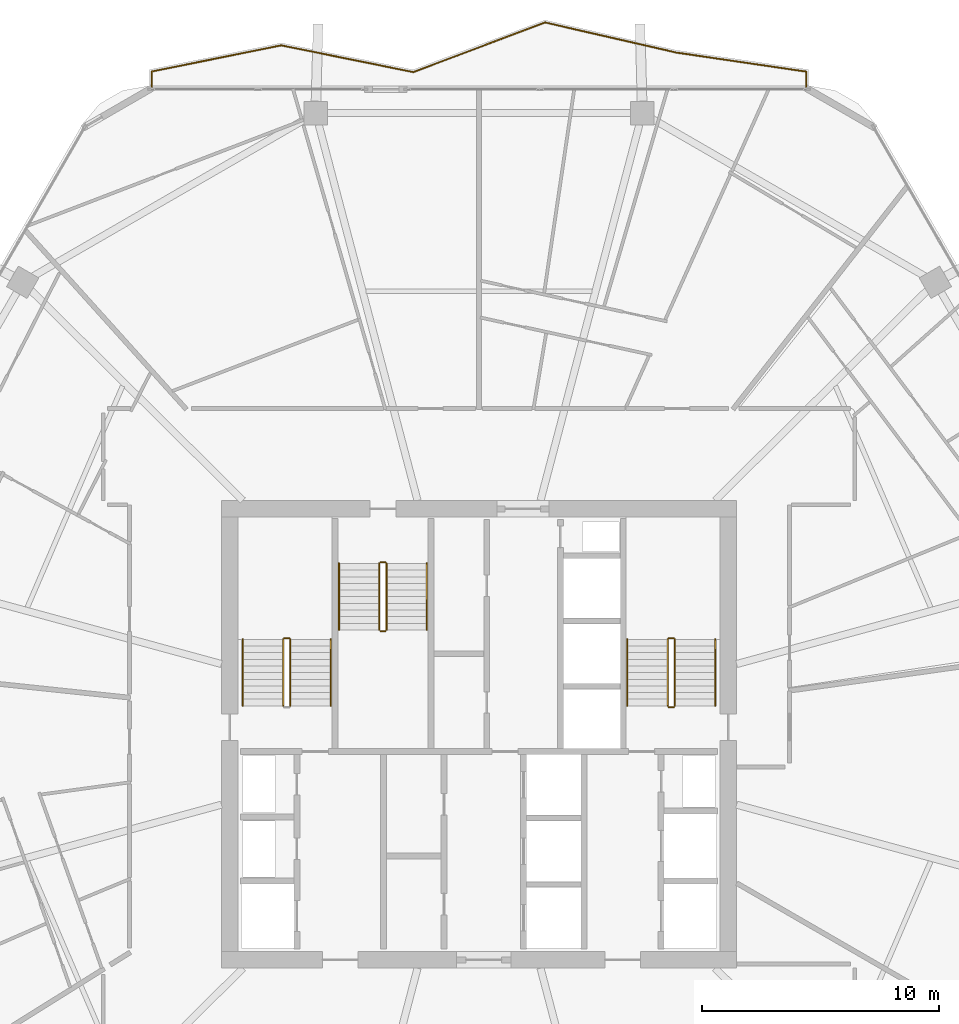
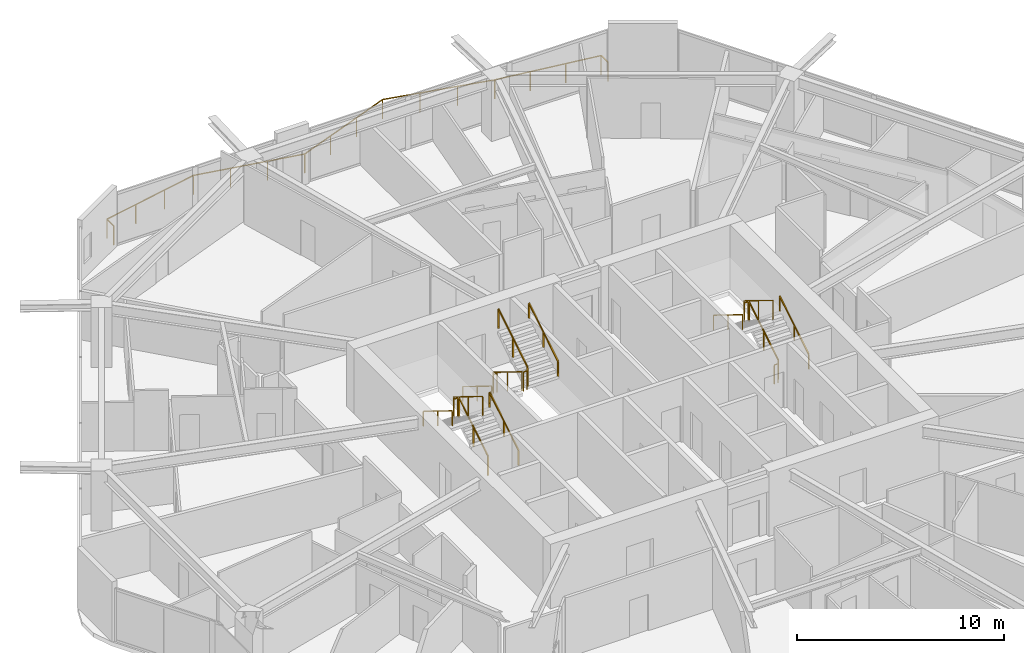
# One storey, part 24 of 25: 18 railings.
"""IFC4 building model written with IfcOpenShell, lengths in metres."""

from ifc_helpers import new_model, si_unit, direction, frame, origin, origin_2d, place, context, subcontext, project, spatial, rectangle, extrude, material, type_object, element, save


model = new_model("IFC4")

# Units and contexts
model_context = context("Model", 3, precision=1e-05, world=origin(), true_north=direction((0.0, 1.0)))
body_context = subcontext(model_context, "Body", "Model", "MODEL_VIEW")
ifc_project = project(units=[si_unit("LENGTHUNIT", "METRE"), si_unit("AREAUNIT", "SQUARE_METRE"), si_unit("VOLUMEUNIT", "CUBIC_METRE"), si_unit("PLANEANGLEUNIT", "RADIAN"), si_unit("MASSUNIT", "GRAM", prefix="KILO")], contexts=[model_context])

# Site, building, storey
site_placement = place(None, origin())
site = spatial("IfcSite", under=ifc_project, at=site_placement, CompositionType="ELEMENT")
building_placement = place(site_placement, origin())
building = spatial("IfcBuilding", under=site, at=building_placement, Name="Zuhravey Tower", CompositionType="ELEMENT")
storey_placement = place(building_placement, frame((0.0, 0.0, 150.39990234375)))
storey = spatial("IfcBuildingStorey", under=building, at=storey_placement, Name="L37", CompositionType="ELEMENT", Elevation=150.39990234375)

# Railings
ifc_material_1 = material(Name="Stainless steel 316 and laminated glass", Category="steel")
railing_type_1 = type_object("IfcRailingType", Name="Balcony & Terrace Guardrail 1150", PredefinedType="BALUSTRADE", material=ifc_material_1)
railing_1_placement = place(storey_placement, frame((22.2099609375, 59.26806640625, 0.0)))
element("IfcRailing", 1, at=railing_1_placement, inside=storey, type_object=railing_type_1, Name="L37 Face 2 Wave Balcony Guardrail GR1", PredefinedType="BALUSTRADE", context=body_context, shape_type="SweptSolid", body=[
    extrude(rectangle(XDim=0.048095703125, YDim=0.048095703125, at=origin_2d()), frame((0.0, 0.001953125, 1.1259765625), z_axis=(0.0, 1.0, 0.0), x_axis=(-1.0, 0.0, 0.0)), (0.0, 0.0, 1.0), 0.654296875),
    extrude(rectangle(XDim=0.048095703125, YDim=0.048095703125, at=origin_2d()), frame((0.001953125, 0.65869140625, 1.1259765625), z_axis=(0.980153280565, 0.198241132457, 0.0), x_axis=(-0.198241132457, 0.980153280565, 0.0)), (0.0, 0.0, 1.0), 5.5625),
    extrude(rectangle(XDim=0.048095703125, YDim=0.048095703125, at=origin_2d()), frame((5.4580078125, 1.76123046875, 1.1259765625), z_axis=(0.980074652135, -0.198629494898, 0.0), x_axis=(0.198629494898, 0.980074652135, 0.0)), (0.0, 0.0, 1.0), 5.67333984375),
    extrude(rectangle(XDim=0.048095703125, YDim=0.048095703125, at=origin_2d()), frame((11.022216796875, 0.634765625, 1.1259765625), z_axis=(0.935882144899, 0.352313228334, 0.0), x_axis=(-0.352313228334, 0.935882144899, 0.0)), (0.0, 0.0, 1.0), 5.93115234375),
    extrude(rectangle(XDim=0.048095703125, YDim=0.048095703125, at=origin_2d()), frame((16.576904296875, 2.724609375, 1.1259765625), z_axis=(0.974707134461, -0.223486022001, 0.0), x_axis=(0.223486022001, 0.974707134461, 0.0)), (0.0, 0.0, 1.0), 5.669921875),
    extrude(rectangle(XDim=0.048095703125, YDim=0.048095703125, at=origin_2d()), frame((22.107421875, 1.456787109375, 1.1259765625), z_axis=(0.989401310771, -0.14520690839, 0.0), x_axis=(0.14520690839, 0.989401310771, 0.0)), (0.0, 0.0, 1.0), 5.529296875),
    extrude(rectangle(XDim=0.048095703125, YDim=0.048095703125, at=origin_2d()), frame((27.580078125, 0.651611328125, 1.1259765625), z_axis=(0.0, -1.0, 0.0), x_axis=(1.0, 0.0, 0.0)), (0.0, 0.0, 1.0), 0.649658203125),
    extrude(rectangle(XDim=0.0419921875, YDim=0.0419921875, at=origin_2d()), origin(), (0.0, 0.0, 1.0), 1.099853515625),
    extrude(rectangle(XDim=0.0419921875, YDim=0.0419921875, at=origin_2d()), frame((0.0, 0.658203125, 0.0)), (0.0, 0.0, 1.0), 1.099853515625),
    extrude(rectangle(XDim=0.0419921875, YDim=0.0419921875, at=origin_2d()), frame((1.818603515625, 1.026123046875, 0.0)), (0.0, 0.0, 1.0), 1.099853515625),
    extrude(rectangle(XDim=0.0419921875, YDim=0.0419921875, at=origin_2d()), frame((3.637451171875, 1.393798828125, 0.0)), (0.0, 0.0, 1.0), 1.099853515625),
    extrude(rectangle(XDim=0.0419921875, YDim=0.0419921875, at=origin_2d()), frame((5.4560546875, 1.76171875, 0.0)), (0.0, 0.0, 1.0), 1.099853515625),
    extrude(rectangle(XDim=0.0419921875, YDim=0.0419921875, at=origin_2d()), frame((7.310791015625, 1.3857421875, 0.0)), (0.0, 0.0, 1.0), 1.099853515625),
    extrude(rectangle(XDim=0.0419921875, YDim=0.0419921875, at=origin_2d()), frame((9.16552734375, 1.010009765625, 0.0)), (0.0, 0.0, 1.0), 1.099853515625),
    extrude(rectangle(XDim=0.0419921875, YDim=0.0419921875, at=origin_2d()), frame((11.020263671875, 0.634033203125, 0.0)), (0.0, 0.0, 1.0), 1.099853515625),
    extrude(rectangle(XDim=0.0419921875, YDim=0.0419921875, at=origin_2d()), frame((12.871826171875, 1.3310546875, 0.0)), (0.0, 0.0, 1.0), 1.099853515625),
    extrude(rectangle(XDim=0.0419921875, YDim=0.0419921875, at=origin_2d()), frame((14.723388671875, 2.028076171875, 0.0)), (0.0, 0.0, 1.0), 1.099853515625),
    extrude(rectangle(XDim=0.0419921875, YDim=0.0419921875, at=origin_2d()), frame((16.574951171875, 2.72509765625, 0.0)), (0.0, 0.0, 1.0), 1.099853515625),
    extrude(rectangle(XDim=0.0419921875, YDim=0.0419921875, at=origin_2d()), frame((18.41845703125, 2.302490234375, 0.0)), (0.0, 0.0, 1.0), 1.099853515625),
    extrude(rectangle(XDim=0.0419921875, YDim=0.0419921875, at=origin_2d()), frame((20.261962890625, 1.879638671875, 0.0)), (0.0, 0.0, 1.0), 1.099853515625),
    extrude(rectangle(XDim=0.0419921875, YDim=0.0419921875, at=origin_2d()), frame((22.10546875, 1.45703125, 0.0)), (0.0, 0.0, 1.0), 1.099853515625),
    extrude(rectangle(XDim=0.0419921875, YDim=0.0419921875, at=origin_2d()), frame((23.930419921875, 1.189208984375, 0.0)), (0.0, 0.0, 1.0), 1.099853515625),
    extrude(rectangle(XDim=0.0419921875, YDim=0.0419921875, at=origin_2d()), frame((25.755126953125, 0.92138671875, 0.0)), (0.0, 0.0, 1.0), 1.099853515625),
    extrude(rectangle(XDim=0.0419921875, YDim=0.0419921875, at=origin_2d()), frame((27.580078125, 0.653564453125, 0.0)), (0.0, 0.0, 1.0), 1.099853515625),
    extrude(rectangle(XDim=0.0419921875, YDim=0.0419921875, at=origin_2d()), frame((27.580078125, 0.0, 0.0)), (0.0, 0.0, 1.0), 1.099853515625),
])
ifc_material_2 = material(Name="Brushed stainless steel", Category="steel")
railing_type_2 = type_object("IfcRailingType", Name="Stair Wall Handrail 900", PredefinedType="HANDRAIL", material=ifc_material_2)
railing_2_placement = place(storey_placement, frame((29.75, 33.199951171875, 0.1728515625)))
element("IfcRailing", 2, at=railing_2_placement, inside=storey, type_object=railing_type_2, Name="L37 ST1 stair handrail 1", PredefinedType="HANDRAIL", context=body_context, shape_type="SweptSolid", body=[
    extrude(rectangle(XDim=0.048095703125, YDim=0.048095703125, at=origin_2d()), frame((0.0, 0.001708984375, 0.876953125), z_axis=(0.0, 0.851089632645, 0.525020415988), x_axis=(-1.0, 0.0, 0.0)), (0.0, 0.0, 1.0), 3.285888671875),
    extrude(rectangle(XDim=0.0419921875, YDim=0.0419921875, at=origin_2d()), origin(), (0.0, 0.0, 1.0), 0.849853515625),
    extrude(rectangle(XDim=0.0419921875, YDim=0.0419921875, at=origin_2d()), frame((0.0, 1.39990234375, 0.86376953125)), (0.0, 0.0, 1.0), 0.849853515625),
    extrude(rectangle(XDim=0.0419921875, YDim=0.0419921875, at=origin_2d()), frame((0.0, 2.800048828125, 1.727294921875)), (0.0, 0.0, 1.0), 0.849853515625),
])
railing_3_placement = place(storey_placement, frame((26.050048828125, 36.0, 2.07275390625)))
element("IfcRailing", 3, at=railing_3_placement, inside=storey, type_object=railing_type_2, Name="L37 ST1 stair handrail 2", PredefinedType="HANDRAIL", context=body_context, shape_type="SweptSolid", body=[
    extrude(rectangle(XDim=0.048095703125, YDim=0.048095703125, at=origin_2d()), frame((0.0, -0.001708984375, 0.876953125), z_axis=(0.0, -0.851089632645, 0.525020415988), x_axis=(1.0, 0.0, 0.0)), (0.0, 0.0, 1.0), 3.285888671875),
    extrude(rectangle(XDim=0.0419921875, YDim=0.0419921875, at=origin_2d()), origin(), (0.0, 0.0, 1.0), 0.849853515625),
    extrude(rectangle(XDim=0.0419921875, YDim=0.0419921875, at=origin_2d()), frame((0.0, -1.39990234375, 0.86376953125)), (0.0, 0.0, 1.0), 0.849853515625),
    extrude(rectangle(XDim=0.0419921875, YDim=0.0419921875, at=origin_2d()), frame((0.0, -2.800048828125, 1.727294921875)), (0.0, 0.0, 1.0), 0.849853515625),
])
railing_4_placement = place(storey_placement, frame((45.949951171875, 33.199951171875, 0.1728515625)))
element("IfcRailing", 4, at=railing_4_placement, inside=storey, type_object=railing_type_2, Name="L37 ST2 stair handrail 1", PredefinedType="HANDRAIL", context=body_context, shape_type="SweptSolid", body=[
    extrude(rectangle(XDim=0.048095703125, YDim=0.048095703125, at=origin_2d()), frame((0.0, 0.001708984375, 0.876953125), z_axis=(0.0, 0.851089632645, 0.525020415988), x_axis=(-1.0, 0.0, 0.0)), (0.0, 0.0, 1.0), 3.285888671875),
    extrude(rectangle(XDim=0.0419921875, YDim=0.0419921875, at=origin_2d()), origin(), (0.0, 0.0, 1.0), 0.849853515625),
    extrude(rectangle(XDim=0.0419921875, YDim=0.0419921875, at=origin_2d()), frame((0.0, 1.39990234375, 0.86376953125)), (0.0, 0.0, 1.0), 0.849853515625),
    extrude(rectangle(XDim=0.0419921875, YDim=0.0419921875, at=origin_2d()), frame((0.0, 2.800048828125, 1.727294921875)), (0.0, 0.0, 1.0), 0.849853515625),
])
for number, where, name in (
    (5, (42.25, 36.0, 2.07275390625), "L37 ST2 stair handrail 2"),
    (6, (30.10009765625, 39.199951171875, 0.1728515625), "L37 ST3 stair handrail 1"),
):
    element("IfcRailing", number, at=place(storey_placement, frame(where)), inside=storey, type_object=railing_type_2, Name=name, PredefinedType="HANDRAIL", context=body_context, shape_type="SweptSolid", body=[
        extrude(rectangle(XDim=0.048095703125, YDim=0.048095703125, at=origin_2d()), frame((0.0, -0.001708984375, 0.876953125), z_axis=(0.0, -0.851089632645, 0.525020415988), x_axis=(1.0, 0.0, 0.0)), (0.0, 0.0, 1.0), 3.285888671875),
        extrude(rectangle(XDim=0.0419921875, YDim=0.0419921875, at=origin_2d()), origin(), (0.0, 0.0, 1.0), 0.849853515625),
        extrude(rectangle(XDim=0.0419921875, YDim=0.0419921875, at=origin_2d()), frame((0.0, -1.39990234375, 0.86376953125)), (0.0, 0.0, 1.0), 0.849853515625),
        extrude(rectangle(XDim=0.0419921875, YDim=0.0419921875, at=origin_2d()), frame((0.0, -2.800048828125, 1.727294921875)), (0.0, 0.0, 1.0), 0.849853515625),
    ])
railing_5_placement = place(storey_placement, frame((33.800048828125, 36.39990234375, 2.07275390625)))
element("IfcRailing", 7, at=railing_5_placement, inside=storey, type_object=railing_type_2, Name="L37 ST3 stair handrail 2", PredefinedType="HANDRAIL", context=body_context, shape_type="SweptSolid", body=[
    extrude(rectangle(XDim=0.048095703125, YDim=0.048095703125, at=origin_2d()), frame((0.0, 0.001708984375, 0.876953125), z_axis=(0.0, 0.851089632645, 0.525020415988), x_axis=(-1.0, 0.0, 0.0)), (0.0, 0.0, 1.0), 3.285888671875),
    extrude(rectangle(XDim=0.0419921875, YDim=0.0419921875, at=origin_2d()), origin(), (0.0, 0.0, 1.0), 0.849853515625),
    extrude(rectangle(XDim=0.0419921875, YDim=0.0419921875, at=origin_2d()), frame((0.0, 1.39990234375, 0.86376953125)), (0.0, 0.0, 1.0), 0.849853515625),
    extrude(rectangle(XDim=0.0419921875, YDim=0.0419921875, at=origin_2d()), frame((0.0, 2.800048828125, 1.727294921875)), (0.0, 0.0, 1.0), 0.849853515625),
])
ifc_material_3 = material(Name="Painted tubular steel", Category="steel")
railing_type_3 = type_object("IfcRailingType", Name="Stair Well Guardrail 1150", PredefinedType="GUARDRAIL", material=ifc_material_3)
railing_6_placement = place(storey_placement, frame((28.050048828125, 33.199951171875, 0.1728515625)))
element("IfcRailing", 8, at=railing_6_placement, inside=storey, type_object=railing_type_3, Name="L37 ST1 stair guard 1", PredefinedType="GUARDRAIL", context=body_context, shape_type="SweptSolid", body=[
    extrude(rectangle(XDim=0.048095703125, YDim=0.048095703125, at=origin_2d()), frame((0.0, 0.001708984375, 1.126953125), z_axis=(0.0, 0.851089632645, 0.525020415988), x_axis=(-1.0, 0.0, 0.0)), (0.0, 0.0, 1.0), 3.285888671875),
    extrude(rectangle(XDim=0.0419921875, YDim=0.0419921875, at=origin_2d()), origin(), (0.0, 0.0, 1.0), 1.099853515625),
    extrude(rectangle(XDim=0.0419921875, YDim=0.0419921875, at=origin_2d()), frame((0.0, 1.39990234375, 0.86376953125)), (0.0, 0.0, 1.0), 1.099853515625),
    extrude(rectangle(XDim=0.0419921875, YDim=0.0419921875, at=origin_2d()), frame((0.0, 2.800048828125, 1.727294921875)), (0.0, 0.0, 1.0), 1.099853515625),
])
railing_7_placement = place(storey_placement, frame((28.0, 36.050048828125, 1.900146484375)))
element("IfcRailing", 9, at=railing_7_placement, inside=storey, type_object=railing_type_3, Name="L37 ST1 stair guard 2", PredefinedType="GUARDRAIL", context=body_context, shape_type="SweptSolid", body=[
    extrude(rectangle(XDim=0.048095703125, YDim=0.048095703125, at=origin_2d()), frame((-0.001953125, 0.0, 1.1259765625), z_axis=(-1.0, 0.0, 0.0), x_axis=(0.0, -1.0, 0.0)), (0.0, 0.0, 1.0), 0.196044921875),
    extrude(rectangle(XDim=0.0419921875, YDim=0.0419921875, at=origin_2d()), origin(), (0.0, 0.0, 1.0), 1.099853515625),
    extrude(rectangle(XDim=0.0419921875, YDim=0.0419921875, at=origin_2d()), frame((-0.199951171875, 0.0, 0.0)), (0.0, 0.0, 1.0), 1.099853515625),
])
railing_8_placement = place(storey_placement, frame((27.75, 36.0, 2.07275390625)))
element("IfcRailing", 10, at=railing_8_placement, inside=storey, type_object=railing_type_3, Name="L37 ST1 stair guard 3", PredefinedType="GUARDRAIL", context=body_context, shape_type="SweptSolid", body=[
    extrude(rectangle(XDim=0.048095703125, YDim=0.048095703125, at=origin_2d()), frame((0.0, -0.001708984375, 1.126953125), z_axis=(0.0, -0.851089632645, 0.525020415988), x_axis=(1.0, 0.0, 0.0)), (0.0, 0.0, 1.0), 3.285888671875),
    extrude(rectangle(XDim=0.0419921875, YDim=0.0419921875, at=origin_2d()), origin(), (0.0, 0.0, 1.0), 1.099853515625),
    extrude(rectangle(XDim=0.0419921875, YDim=0.0419921875, at=origin_2d()), frame((0.0, -1.39990234375, 0.86376953125)), (0.0, 0.0, 1.0), 1.099853515625),
    extrude(rectangle(XDim=0.0419921875, YDim=0.0419921875, at=origin_2d()), frame((0.0, -2.800048828125, 1.727294921875)), (0.0, 0.0, 1.0), 1.099853515625),
])
railing_9_placement = place(storey_placement, frame((44.25, 33.199951171875, 0.1728515625)))
element("IfcRailing", 11, at=railing_9_placement, inside=storey, type_object=railing_type_3, Name="L37 ST2 stair guard 1", PredefinedType="GUARDRAIL", context=body_context, shape_type="SweptSolid", body=[
    extrude(rectangle(XDim=0.048095703125, YDim=0.048095703125, at=origin_2d()), frame((0.0, 0.001708984375, 1.126953125), z_axis=(0.0, 0.851089632645, 0.525020415988), x_axis=(-1.0, 0.0, 0.0)), (0.0, 0.0, 1.0), 3.285888671875),
    extrude(rectangle(XDim=0.0419921875, YDim=0.0419921875, at=origin_2d()), origin(), (0.0, 0.0, 1.0), 1.099853515625),
    extrude(rectangle(XDim=0.0419921875, YDim=0.0419921875, at=origin_2d()), frame((0.0, 1.39990234375, 0.86376953125)), (0.0, 0.0, 1.0), 1.099853515625),
    extrude(rectangle(XDim=0.0419921875, YDim=0.0419921875, at=origin_2d()), frame((0.0, 2.800048828125, 1.727294921875)), (0.0, 0.0, 1.0), 1.099853515625),
])
railing_10_placement = place(storey_placement, frame((44.199951171875, 36.050048828125, 1.900146484375)))
element("IfcRailing", 12, at=railing_10_placement, inside=storey, type_object=railing_type_3, Name="L37 ST2 stair guard 2", PredefinedType="GUARDRAIL", context=body_context, shape_type="SweptSolid", body=[
    extrude(rectangle(XDim=0.048095703125, YDim=0.048095703125, at=origin_2d()), frame((-0.001953125, 0.0, 1.1259765625), z_axis=(-1.0, 0.0, 0.0), x_axis=(0.0, -1.0, 0.0)), (0.0, 0.0, 1.0), 0.196044921875),
    extrude(rectangle(XDim=0.0419921875, YDim=0.0419921875, at=origin_2d()), origin(), (0.0, 0.0, 1.0), 1.099853515625),
    extrude(rectangle(XDim=0.0419921875, YDim=0.0419921875, at=origin_2d()), frame((-0.199951171875, 0.0, 0.0)), (0.0, 0.0, 1.0), 1.099853515625),
])
railing_11_placement = place(storey_placement, frame((43.949951171875, 36.0, 2.07275390625)))
element("IfcRailing", 13, at=railing_11_placement, inside=storey, type_object=railing_type_3, Name="L37 ST2 stair guard 3", PredefinedType="GUARDRAIL", context=body_context, shape_type="SweptSolid", body=[
    extrude(rectangle(XDim=0.048095703125, YDim=0.048095703125, at=origin_2d()), frame((0.0, -0.001708984375, 1.126953125), z_axis=(0.0, -0.851089632645, 0.525020415988), x_axis=(1.0, 0.0, 0.0)), (0.0, 0.0, 1.0), 3.285888671875),
    extrude(rectangle(XDim=0.0419921875, YDim=0.0419921875, at=origin_2d()), origin(), (0.0, 0.0, 1.0), 1.099853515625),
    extrude(rectangle(XDim=0.0419921875, YDim=0.0419921875, at=origin_2d()), frame((0.0, -1.39990234375, 0.86376953125)), (0.0, 0.0, 1.0), 1.099853515625),
    extrude(rectangle(XDim=0.0419921875, YDim=0.0419921875, at=origin_2d()), frame((0.0, -2.800048828125, 1.727294921875)), (0.0, 0.0, 1.0), 1.099853515625),
])
railing_12_placement = place(storey_placement, frame((44.199951171875, 33.14990234375, 0.0)))
element("IfcRailing", 14, at=railing_12_placement, inside=storey, type_object=railing_type_3, Name="L37 ST2 stair guard 4", PredefinedType="GUARDRAIL", context=body_context, shape_type="SweptSolid", body=[
    extrude(rectangle(XDim=0.048095703125, YDim=0.048095703125, at=origin_2d()), frame((-0.001953125, 0.0, 1.1259765625), z_axis=(-1.0, 0.0, 0.0), x_axis=(0.0, -1.0, 0.0)), (0.0, 0.0, 1.0), 0.196044921875),
    extrude(rectangle(XDim=0.0419921875, YDim=0.0419921875, at=origin_2d()), origin(), (0.0, 0.0, 1.0), 1.099853515625),
    extrude(rectangle(XDim=0.0419921875, YDim=0.0419921875, at=origin_2d()), frame((-0.199951171875, 0.0, 0.0)), (0.0, 0.0, 1.0), 1.099853515625),
])
railing_13_placement = place(storey_placement, frame((31.800048828125, 39.199951171875, 0.1728515625)))
element("IfcRailing", 15, at=railing_13_placement, inside=storey, type_object=railing_type_3, Name="L37 ST3 stair guard 1", PredefinedType="GUARDRAIL", context=body_context, shape_type="SweptSolid", body=[
    extrude(rectangle(XDim=0.048095703125, YDim=0.048095703125, at=origin_2d()), frame((0.0, -0.001708984375, 1.126953125), z_axis=(0.0, -0.851089632645, 0.525020415988), x_axis=(1.0, 0.0, 0.0)), (0.0, 0.0, 1.0), 3.285888671875),
    extrude(rectangle(XDim=0.0419921875, YDim=0.0419921875, at=origin_2d()), origin(), (0.0, 0.0, 1.0), 1.099853515625),
    extrude(rectangle(XDim=0.0419921875, YDim=0.0419921875, at=origin_2d()), frame((0.0, -1.39990234375, 0.86376953125)), (0.0, 0.0, 1.0), 1.099853515625),
    extrude(rectangle(XDim=0.0419921875, YDim=0.0419921875, at=origin_2d()), frame((0.0, -2.800048828125, 1.727294921875)), (0.0, 0.0, 1.0), 1.099853515625),
])
railing_14_placement = place(storey_placement, frame((31.85009765625, 36.35009765625, 1.900146484375)))
element("IfcRailing", 16, at=railing_14_placement, inside=storey, type_object=railing_type_3, Name="L37 ST3 stair guard 2", PredefinedType="GUARDRAIL", context=body_context, shape_type="SweptSolid", body=[
    extrude(rectangle(XDim=0.048095703125, YDim=0.048095703125, at=origin_2d()), frame((0.001953125, 0.0, 1.1259765625), z_axis=(1.0, 0.0, 0.0), x_axis=(0.0, 1.0, 0.0)), (0.0, 0.0, 1.0), 0.196044921875),
    extrude(rectangle(XDim=0.0419921875, YDim=0.0419921875, at=origin_2d()), origin(), (0.0, 0.0, 1.0), 1.099853515625),
    extrude(rectangle(XDim=0.0419921875, YDim=0.0419921875, at=origin_2d()), frame((0.199951171875, 0.0, 0.0)), (0.0, 0.0, 1.0), 1.099853515625),
])
railing_15_placement = place(storey_placement, frame((32.10009765625, 36.39990234375, 2.07275390625)))
element("IfcRailing", 17, at=railing_15_placement, inside=storey, type_object=railing_type_3, Name="L37 ST3 stair guard 3", PredefinedType="GUARDRAIL", context=body_context, shape_type="SweptSolid", body=[
    extrude(rectangle(XDim=0.048095703125, YDim=0.048095703125, at=origin_2d()), frame((0.0, 0.001708984375, 1.126953125), z_axis=(0.0, 0.851089632645, 0.525020415988), x_axis=(-1.0, 0.0, 0.0)), (0.0, 0.0, 1.0), 3.285888671875),
    extrude(rectangle(XDim=0.0419921875, YDim=0.0419921875, at=origin_2d()), origin(), (0.0, 0.0, 1.0), 1.099853515625),
    extrude(rectangle(XDim=0.0419921875, YDim=0.0419921875, at=origin_2d()), frame((0.0, 1.39990234375, 0.86376953125)), (0.0, 0.0, 1.0), 1.099853515625),
    extrude(rectangle(XDim=0.0419921875, YDim=0.0419921875, at=origin_2d()), frame((0.0, 2.800048828125, 1.727294921875)), (0.0, 0.0, 1.0), 1.099853515625),
])
railing_16_placement = place(storey_placement, frame((31.85009765625, 39.25, 0.0)))
element("IfcRailing", 18, at=railing_16_placement, inside=storey, type_object=railing_type_3, Name="L37 ST3 stair guard 4", PredefinedType="GUARDRAIL", context=body_context, shape_type="SweptSolid", body=[
    extrude(rectangle(XDim=0.048095703125, YDim=0.048095703125, at=origin_2d()), frame((0.001953125, 0.0, 1.1259765625), z_axis=(1.0, 0.0, 0.0), x_axis=(0.0, 1.0, 0.0)), (0.0, 0.0, 1.0), 0.196044921875),
    extrude(rectangle(XDim=0.0419921875, YDim=0.0419921875, at=origin_2d()), origin(), (0.0, 0.0, 1.0), 1.099853515625),
    extrude(rectangle(XDim=0.0419921875, YDim=0.0419921875, at=origin_2d()), frame((0.199951171875, 0.0, 0.0)), (0.0, 0.0, 1.0), 1.099853515625),
])

save(model, "model.ifc")
